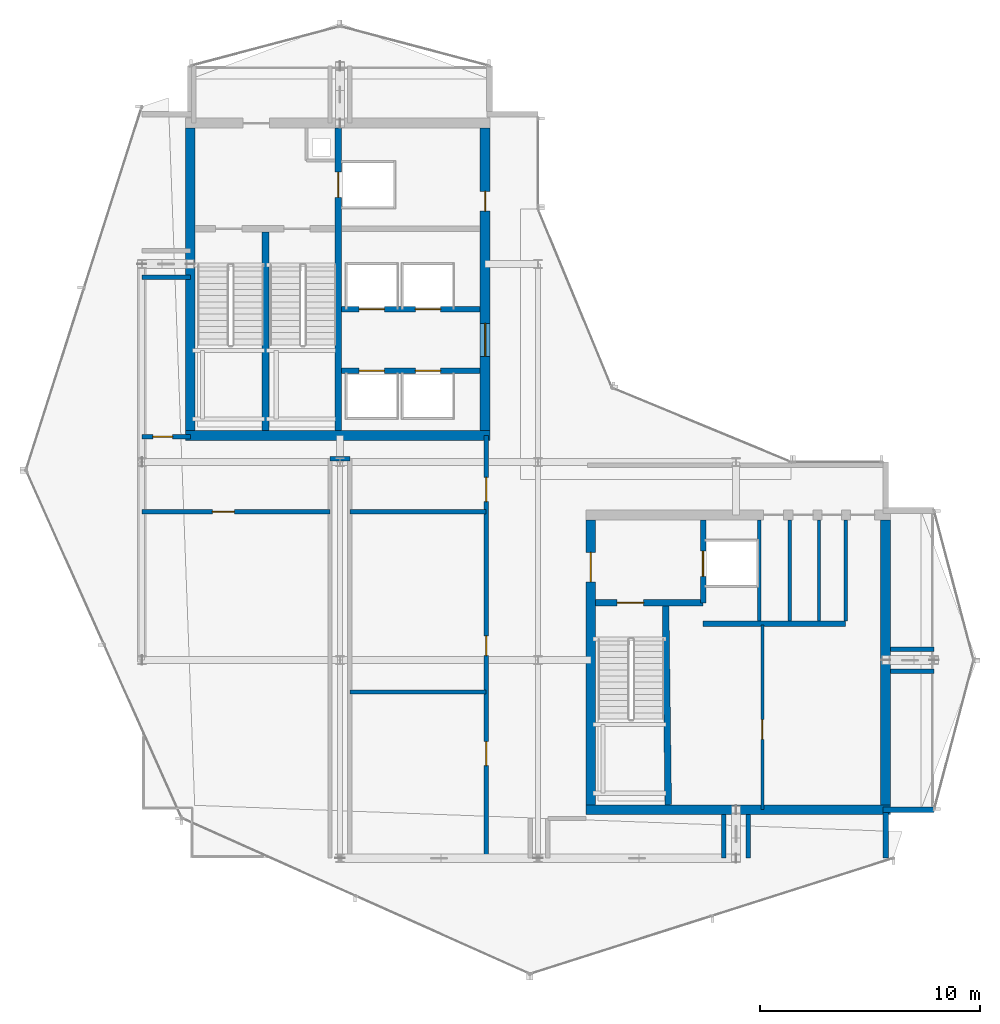
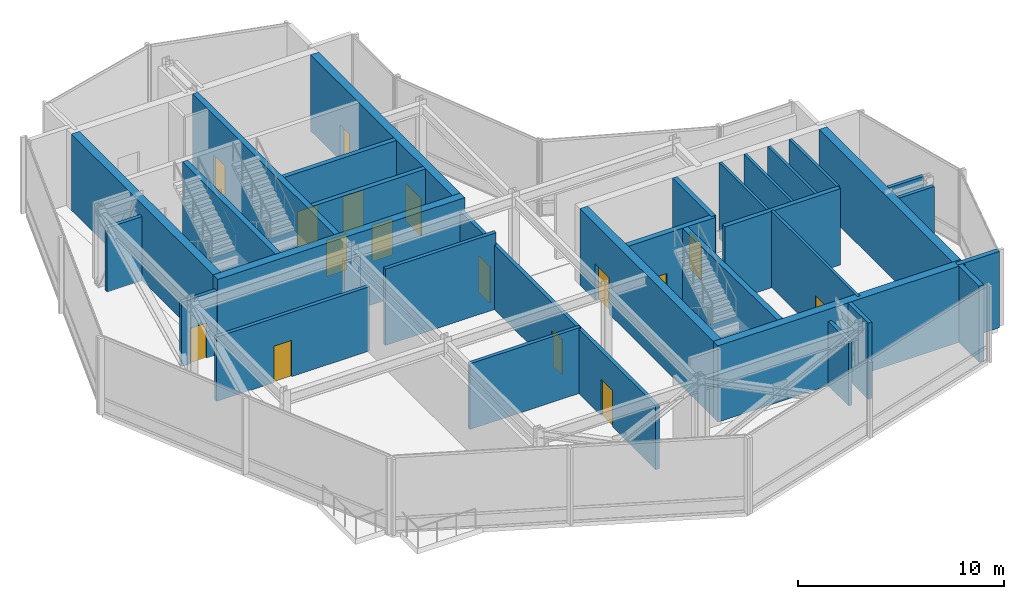
# One storey, part 18 of 23: 32 walls, 16 doors, 16 openings.
"""IFC4 building model written with IfcOpenShell, lengths in metres."""

import ifcopenshell
import ifcopenshell.guid

model = None  # the IFC model being written
_history = None  # IfcOwnerHistory: only IFC2X3 demands one
_inside = {}  # id of a spatial element -> (the spatial element, [elements in it])
_under = {}  # id of a project, library or spatial element -> (it, [spatial elements below it])
_declared = {}  # id of a project -> (the project, [libraries it declares])
_typed = {}  # id of a type object -> (the type object, [elements of that type])
_made_of = {}  # id of a material, layer set ... -> (it, [elements and type objects made of it])


def new_model(schema):
    """Start an empty IFC model of exactly this schema.

    Asked for "IFC4X3", IfcOpenShell would pick the latest addendum, in which some entities
    have other attributes; the version numbers below select the first issue.
    IFC2X3 requires an IfcOwnerHistory on every rooted entity: one is made here for all.
    """
    global model, _history
    if schema == "IFC4X3":
        model = ifcopenshell.file(schema_version=(4, 3, 0, 0))
    else:
        model = ifcopenshell.file(schema=schema)
    _inside.clear()
    _under.clear()
    _declared.clear()
    _typed.clear()
    _made_of.clear()
    _history = None
    if model.schema == "IFC2X3":
        org = make("IfcOrganization", Name="unknown")
        user = make(
            "IfcPersonAndOrganization",
            ThePerson=make("IfcPerson", FamilyName="unknown"),
            TheOrganization=org,
        )
        app = make(
            "IfcApplication",
            ApplicationDeveloper=org,
            Version="unknown",
            ApplicationFullName="unknown",
            ApplicationIdentifier="unknown",
        )
        _history = make(
            "IfcOwnerHistory",
            OwningUser=user,
            OwningApplication=app,
            ChangeAction="ADDED",
            CreationDate=0,
        )
    return model


def make(cls, **values):
    """One entity of the class cls with the attributes given. An attribute that is None is left unset."""
    return model.create_entity(
        cls, **{name: value for name, value in values.items() if value is not None}
    )


def rooted(cls, **values):
    """An entity with a GlobalId (a new one), such as an element, a storey or a relation."""
    return make(cls, GlobalId=ifcopenshell.guid.new(), OwnerHistory=_history, **values)


def si_unit(unit_type, name, prefix=None):
    """IfcSIUnit, for example si_unit("LENGTHUNIT", "METRE", prefix="MILLI")."""
    return make("IfcSIUnit", UnitType=unit_type, Prefix=prefix, Name=name)


def assignment(units):
    """IfcUnitAssignment: the units of a project."""
    return None if units is None else make("IfcUnitAssignment", Units=units)


def point(xyz):
    """IfcCartesianPoint."""
    return None if xyz is None else make("IfcCartesianPoint", Coordinates=xyz)


def direction(xyz):
    """IfcDirection."""
    return None if xyz is None else make("IfcDirection", DirectionRatios=xyz)


def frame(location, z_axis=None, x_axis=None):
    """IfcAxis2Placement3D, a coordinate frame: its origin and axes. An axis left out is left unset."""
    return make(
        "IfcAxis2Placement3D",
        Location=point(location),
        Axis=direction(z_axis),
        RefDirection=direction(x_axis),
    )


def frame_2d(location, x_axis=None):
    """IfcAxis2Placement2D, a coordinate frame in the plane: its origin and x axis."""
    return make(
        "IfcAxis2Placement2D", Location=point(location), RefDirection=direction(x_axis)
    )


def origin():
    """The frame at (0, 0, 0) with its axes left unset."""
    return frame((0.0, 0.0, 0.0))


def place(relative_to, where):
    """IfcLocalPlacement: puts the frame where relative to a parent placement (None: the world)."""
    return make(
        "IfcLocalPlacement", PlacementRelTo=relative_to, RelativePlacement=where
    )


def context(
    kind, dimensions, precision=None, world=None, true_north=None, identifier=None
):
    """IfcGeometricRepresentationContext, for example the 3D "Model" context."""
    return make(
        "IfcGeometricRepresentationContext",
        ContextIdentifier=identifier,
        ContextType=kind,
        CoordinateSpaceDimension=dimensions,
        Precision=precision,
        WorldCoordinateSystem=world,
        TrueNorth=true_north,
    )


def subcontext(parent, identifier, kind, view, scale=None):
    """IfcGeometricRepresentationSubContext, for example "Body" below "Model"."""
    return make(
        "IfcGeometricRepresentationSubContext",
        ContextIdentifier=identifier,
        ContextType=kind,
        ParentContext=parent,
        TargetScale=scale,
        TargetView=view,
    )


def project(units=None, contexts=None):
    """IfcProject with its units and contexts."""
    return rooted(
        "IfcProject",
        Name="project",
        RepresentationContexts=contexts,
        UnitsInContext=assignment(units),
    )


def spatial(cls, under=None, at=None, **own):
    """A site, building, storey or space (cls), placed at a placement, below another one or the project."""
    s = rooted(cls, ObjectPlacement=at, **own)
    if under is not None:
        _under.setdefault(under.id(), (under, []))[1].append(s)
    return s


def profile(cls, at=None, kind="AREA", **sizes):
    """A parametric profile (cls). Its sizes go by their IFC names, for example OverallWidth=200.0."""
    return make(cls, ProfileType=kind, Position=at, **sizes)


def rectangle(**sizes):
    """IfcRectangleProfileDef."""
    return profile("IfcRectangleProfileDef", **sizes)


def extrude(swept, where, along, depth):
    """IfcExtrudedAreaSolid: the profile swept, set in the frame where, extruded along a direction by depth."""
    return make(
        "IfcExtrudedAreaSolid",
        SweptArea=swept,
        Position=where,
        ExtrudedDirection=direction(along),
        Depth=depth,
    )


def shape(context_of_items, identifier, shape_type, items):
    """IfcShapeRepresentation: the items that make up one representation, for example the "Body"."""
    return make(
        "IfcShapeRepresentation",
        ContextOfItems=context_of_items,
        RepresentationIdentifier=identifier,
        RepresentationType=shape_type,
        Items=items,
    )


def material(Name=None, Category=None):
    """IfcMaterial."""
    return make("IfcMaterial", Name=Name, Category=Category)


def layer(
    of_material, thickness, ventilated=None, Name=None, Category=None, Priority=None
):
    """IfcMaterialLayer: one layer of a wall or slab, of a material (None: an air gap)."""
    return make(
        "IfcMaterialLayer",
        Material=of_material,
        LayerThickness=thickness,
        IsVentilated=ventilated,
        Name=Name,
        Category=Category,
        Priority=Priority,
    )


def layer_set(layers, Name=None):
    """IfcMaterialLayerSet."""
    return make("IfcMaterialLayerSet", MaterialLayers=layers, LayerSetName=Name)


def made_of(thing, what):
    """Note that an element or type object is made of a material, layer set ...; save() writes the relation."""
    if what is not None:
        _made_of.setdefault(what.id(), (what, []))[1].append(thing)
    return thing


def type_object(cls, material=None, **own):
    """A type object (cls), such as IfcWallType, which elements share."""
    return made_of(rooted(cls, **own), material)


def element(
    cls,
    number,
    at=None,
    inside=None,
    cuts=None,
    type_object=None,
    material=None,
    context=None,
    identifier="Body",
    shape_type=None,
    held_by="IfcProductDefinitionShape",
    body=None,
    shapes=None,
    **own,
):
    """One element of the class cls, such as IfcWall. Its Tag is "e" and its number.

    at: its placement. inside: the storey or other place that contains it. cuts: it is an
    opening in that element (IfcRelVoidsElement). A single representation is given by context,
    identifier, shape_type and body (its items); several are given by shapes. held_by: the class
    of the entity that holds the representations. save() writes the other relations.
    """
    e = rooted(cls, Tag="e%d" % number, ObjectPlacement=at, **own)
    if body is not None:
        shapes = [shape(context, identifier, shape_type, body)]
    if shapes is not None:
        e.Representation = make(held_by, Representations=shapes)
    if inside is not None:
        _inside.setdefault(inside.id(), (inside, []))[1].append(e)
    if cuts is not None:
        rooted(
            "IfcRelVoidsElement", RelatingBuildingElement=cuts, RelatedOpeningElement=e
        )
    if type_object is not None:
        _typed.setdefault(type_object.id(), (type_object, []))[1].append(e)
    return made_of(e, material)


def fill(opening, filler):
    """IfcRelFillsElement: the door or window that sits in an opening."""
    return rooted(
        "IfcRelFillsElement",
        RelatingOpeningElement=opening,
        RelatedBuildingElement=filler,
    )


def aggregate(whole, parts):
    """IfcRelAggregates: a whole, such as a stair, and the parts it consists of."""
    return rooted("IfcRelAggregates", RelatingObject=whole, RelatedObjects=parts)


def save(model, path):
    """Write the relations noted so far, then the file.

    IfcRelAggregates (storeys below a building ...), IfcRelContainedInSpatialStructure (elements
    in a storey), IfcRelDefinesByType, IfcRelAssociatesMaterial and IfcRelDeclares: one each for
    every whole, place, type object, material and project.
    """
    for whole, parts in _under.values():
        aggregate(whole, parts)
    for where, things in _inside.values():
        rooted(
            "IfcRelContainedInSpatialStructure",
            RelatedElements=things,
            RelatingStructure=where,
        )
    for kind, things in _typed.values():
        rooted("IfcRelDefinesByType", RelatedObjects=things, RelatingType=kind)
    for what, things in _made_of.values():
        rooted("IfcRelAssociatesMaterial", RelatedObjects=things, RelatingMaterial=what)
    for by, libraries in _declared.values():
        rooted("IfcRelDeclares", RelatingContext=by, RelatedDefinitions=libraries)
    model.write(path)


model = new_model("IFC4")

# Units and contexts
model_context = context("Model", 3, precision=1e-05, world=origin(), true_north=direction((0.0, 1.0)))
body_context = subcontext(model_context, "Body", "Model", "MODEL_VIEW")
ifc_project = project(units=[si_unit("LENGTHUNIT", "METRE"), si_unit("AREAUNIT", "SQUARE_METRE"), si_unit("VOLUMEUNIT", "CUBIC_METRE"), si_unit("PLANEANGLEUNIT", "RADIAN"), si_unit("MASSUNIT", "GRAM", prefix="KILO")], contexts=[model_context])

# Site, building, storey
site_placement = place(None, origin())
site = spatial("IfcSite", under=ifc_project, at=site_placement, CompositionType="ELEMENT")
building_placement = place(site_placement, origin())
building = spatial("IfcBuilding", under=site, at=building_placement, Name="Solvaryn Broadcast Tower", CompositionType="ELEMENT")
storey_placement = place(building_placement, frame((0.0, 0.0, 285.199951171875)))
storey = spatial("IfcBuildingStorey", under=building, at=storey_placement, Name="L72", CompositionType="ELEMENT", Elevation=285.199951171875)

# Walls
ifc_material_1 = material(Name="Concrete f'c 70 MPa", Category="concrete")
ifc_layer_1 = layer(ifc_material_1, 0.449951171875)
ifc_layer_set_1 = layer_set([ifc_layer_1], Name="CW-SHEAR-450")
wall_type_1 = type_object("IfcWallType", Name="CW-SHEAR-450", PredefinedType="SHEAR", material=ifc_layer_set_1)
wall_1_placement = place(storey_placement, frame((10.97509765625, 28.199951171875, 0.0), z_axis=(0.0, 0.0, 1.0), x_axis=(1.0, 0.0, 0.0)))
element("IfcWall", 1, at=wall_1_placement, inside=storey, type_object=wall_type_1, Name="L72 West Core South Shear Wall", PredefinedType="SHEAR", context=body_context, shape_type="SweptSolid", body=[
    extrude(rectangle(XDim=13.849853515625, YDim=0.449951171875, at=frame_2d((6.9248046875, 0.0))), origin(), (0.0, 0.0, 1.0), 4.52001953125),
])
wall_2_placement = place(storey_placement, frame((11.199951171875, 42.175048828125, 0.0), z_axis=(0.0, 0.0, 1.0), x_axis=(0.0, -1.0, 0.0)))
element("IfcWall", 2, at=wall_2_placement, inside=storey, type_object=wall_type_1, Name="L72 West Core West Shear Wall", PredefinedType="SHEAR", context=body_context, shape_type="SweptSolid", body=[
    extrude(rectangle(XDim=13.75, YDim=0.449951171875, at=frame_2d((6.875, 0.0))), origin(), (0.0, 0.0, 1.0), 4.52001953125),
])

# Wall, openings, doors
wall_3_placement = place(storey_placement, frame((24.60009765625, 28.425048828125, 0.0), z_axis=(0.0, 0.0, 1.0), x_axis=(0.0, 1.0, 0.0)))
wall_3 = element("IfcWall", 3, at=wall_3_placement, inside=storey, type_object=wall_type_1, Name="L72 West Core East Shear Wall", PredefinedType="SHEAR", context=body_context, shape_type="SweptSolid", body=[
    extrude(rectangle(XDim=13.75, YDim=0.449951171875, at=frame_2d((6.875, 0.0))), origin(), (0.0, 0.0, 1.0), 4.52001953125),
])
opening_1_placement = place(wall_3_placement, frame((3.375, 0.0, 0.0)))
opening_1 = element("IfcOpeningElement", 4, at=opening_1_placement, cuts=wall_3, Name="Opening FD60A", PredefinedType="OPENING", context=body_context, shape_type="SweptSolid", body=[
    extrude(rectangle(XDim=1.5, YDim=2.199951171875, at=frame_2d((0.75, 1.10009765625))), frame((0.0, 0.235107421875, 0.0), z_axis=(0.0, -1.0, 0.0), x_axis=(1.0, 0.0, 0.0)), (0.0, 0.0, 1.0), 0.469970703125),
])
opening_2_placement = place(wall_3_placement, frame((9.97509765625, 0.0, 0.0)))
opening_2 = element("IfcOpeningElement", 5, at=opening_2_placement, cuts=wall_3, Name="Opening FD60C", PredefinedType="OPENING", context=body_context, shape_type="SweptSolid", body=[
    extrude(rectangle(XDim=0.89990234375, YDim=2.10009765625, at=frame_2d((0.449951171875, 1.050048828125))), frame((0.0, 0.235107421875, 0.0), z_axis=(0.0, -1.0, 0.0), x_axis=(1.0, 0.0, 0.0)), (0.0, 0.0, 1.0), 0.469970703125),
])
ifc_material_2 = material(Name="Flush Acoustic Steel and Timber Door Assembly", Category="steel")
door_type_1 = type_object("IfcDoorType", Name="FD60-CORR-1500X2200", OperationType="NOTDEFINED", PredefinedType="DOOR", material=ifc_material_2)
door_1_placement = place(opening_1_placement, origin())
door_1 = element("IfcDoor", 6, at=door_1_placement, inside=storey, type_object=door_type_1, Name="L72 West Elevator Lobby Corridor Door", OperationType="DOUBLE_DOOR_SINGLE_SWING", OverallHeight=2.199951171875, OverallWidth=1.5, PredefinedType="DOOR", context=body_context, shape_type="SweptSolid", body=[
    extrude(rectangle(XDim=1.5, YDim=2.199951171875, at=frame_2d((0.75, 1.10009765625))), frame((0.0, 0.02490234375, 0.0), z_axis=(0.0, -1.0, 0.0), x_axis=(1.0, 0.0, 0.0)), (0.0, 0.0, 1.0), 0.050048828125),
])
fill(opening_1, door_1)
ifc_material_3 = material(Name="Flush Acoustic Steel and Timber Door Assembly", Category="steel")
door_type_2 = type_object("IfcDoorType", Name="FD60-SERV-900X2100", OperationType="NOTDEFINED", PredefinedType="DOOR", material=ifc_material_3)
door_2_placement = place(opening_2_placement, origin())
door_2 = element("IfcDoor", 7, at=door_2_placement, inside=storey, type_object=door_type_2, Name="L72 West Core Service Door 1", OperationType="SINGLE_SWING_LEFT", OverallHeight=2.10009765625, OverallWidth=0.89990234375, PredefinedType="DOOR", context=body_context, shape_type="SweptSolid", body=[
    extrude(rectangle(XDim=0.89990234375, YDim=2.10009765625, at=frame_2d((0.449951171875, 1.050048828125))), frame((0.0, 0.02490234375, 0.0), z_axis=(0.0, -1.0, 0.0), x_axis=(1.0, 0.0, 0.0)), (0.0, 0.0, 1.0), 0.050048828125),
])
fill(opening_2, door_2)

# Wall
wall_4_placement = place(storey_placement, frame((29.175048828125, 11.199951171875, 0.0), z_axis=(0.0, 0.0, 1.0), x_axis=(1.0, 0.0, 0.0)))
element("IfcWall", 8, at=wall_4_placement, inside=storey, type_object=wall_type_1, Name="L72 East Core South Shear Wall", PredefinedType="SHEAR", context=body_context, shape_type="SweptSolid", body=[
    extrude(rectangle(XDim=13.849853515625, YDim=0.449951171875, at=frame_2d((6.9248046875, 0.0))), origin(), (0.0, 0.0, 1.0), 4.52001953125),
])

# Wall, opening, door
wall_5_placement = place(storey_placement, frame((29.39990234375, 24.375, 0.0), z_axis=(0.0, 0.0, 1.0), x_axis=(0.0, -1.0, 0.0)))
wall_5 = element("IfcWall", 9, at=wall_5_placement, inside=storey, type_object=wall_type_1, Name="L72 East Core West Shear Wall", PredefinedType="SHEAR", context=body_context, shape_type="SweptSolid", body=[
    extrude(rectangle(XDim=12.949951171875, YDim=0.449951171875, at=frame_2d((6.47509765625, 0.0))), origin(), (0.0, 0.0, 1.0), 4.52001953125),
])
opening_3_placement = place(wall_5_placement, frame((1.47509765625, 0.0, 0.0)))
opening_3 = element("IfcOpeningElement", 10, at=opening_3_placement, cuts=wall_5, Name="Opening FD90B", PredefinedType="OPENING", context=body_context, shape_type="SweptSolid", body=[
    extrude(rectangle(XDim=1.35009765625, YDim=2.14990234375, at=frame_2d((0.675048828125, 1.074951171875))), frame((0.0, 0.235107421875, 0.0), z_axis=(0.0, -1.0, 0.0), x_axis=(1.0, 0.0, 0.0)), (0.0, 0.0, 1.0), 0.469970703125),
])
ifc_material_4 = material(Name="Flush Acoustic Steel and Timber Door Assembly", Category="steel")
door_type_3 = type_object("IfcDoorType", Name="FD90-LOBBY-1350X2150", OperationType="NOTDEFINED", PredefinedType="DOOR", material=ifc_material_4)
door_3_placement = place(opening_3_placement, origin())
door_3 = element("IfcDoor", 11, at=door_3_placement, inside=storey, type_object=door_type_3, Name="L72 East FSAE Lobby Door", OperationType="SINGLE_SWING_RIGHT", OverallHeight=2.14990234375, OverallWidth=1.35009765625, PredefinedType="DOOR", context=body_context, shape_type="SweptSolid", body=[
    extrude(rectangle(XDim=1.35009765625, YDim=2.14990234375, at=frame_2d((0.675048828125, 1.074951171875))), frame((0.0, 0.02490234375, 0.0), z_axis=(0.0, -1.0, 0.0), x_axis=(1.0, 0.0, 0.0)), (0.0, 0.0, 1.0), 0.050048828125),
])
fill(opening_3, door_3)

# Walls
wall_6_placement = place(storey_placement, frame((42.800048828125, 11.425048828125, 0.0), z_axis=(0.0, 0.0, 1.0), x_axis=(0.0, 1.0, 0.0)))
element("IfcWall", 12, at=wall_6_placement, inside=storey, type_object=wall_type_1, Name="L72 East Core East Shear Wall", PredefinedType="SHEAR", context=body_context, shape_type="SweptSolid", body=[
    extrude(rectangle(XDim=12.949951171875, YDim=0.449951171875, at=frame_2d((6.47509765625, 0.0))), origin(), (0.0, 0.0, 1.0), 4.52001953125),
])
ifc_material_5 = material(Name="Concrete f'c 50 MPa", Category="concrete")
ifc_layer_2 = layer(ifc_material_5, 0.260009765625)
ifc_layer_set_2 = layer_set([ifc_layer_2], Name="EW-PIER-260")
wall_type_2 = type_object("IfcWallType", Name="EW-PIER-260", PredefinedType="SOLIDWALL", material=ifc_layer_set_2)
wall_7_placement = place(storey_placement, frame((42.800048828125, 9.0, 0.0), z_axis=(0.0, 0.0, 1.0), x_axis=(0.0, 1.0, 0.0)))
element("IfcWall", 13, at=wall_7_placement, inside=storey, type_object=wall_type_2, Name="L72 Notched Corner Pier Wall NSE1", PredefinedType="SOLIDWALL", context=body_context, shape_type="SweptSolid", body=[
    extrude(rectangle(XDim=2.080078125, YDim=0.260009765625, at=frame_2d((1.0400390625, 0.0))), origin(), (0.0, 0.0, 1.0), 4.52001953125),
])
wall_8_placement = place(storey_placement, frame((42.679931640625, 11.199951171875, 0.0), z_axis=(0.0, 0.0, 1.0), x_axis=(1.0, 0.0, 0.0)))
element("IfcWall", 14, at=wall_8_placement, inside=storey, type_object=wall_type_2, Name="L72 Notched Corner Pier Wall NSE2", PredefinedType="SOLIDWALL", context=body_context, shape_type="SweptSolid", body=[
    extrude(rectangle(XDim=2.320068359375, YDim=0.260009765625, at=frame_2d((1.16015625, 0.0))), origin(), (0.0, 0.0, 1.0), 4.52001953125),
])

# Wall, opening, door
ifc_material_6 = material(Name="Metal-Stud Service Core Partition")
ifc_layer_3 = layer(ifc_material_6, 0.14990234375)
ifc_layer_set_3 = layer_set([ifc_layer_3], Name="IW-PART-150")
wall_type_3 = type_object("IfcWallType", Name="IW-PART-150", PredefinedType="PARTITIONING", material=ifc_layer_set_3)
wall_9_placement = place(storey_placement, frame((37.199951171875, 11.199951171875, 0.0), z_axis=(0.0, 0.0, 1.0), x_axis=(0.0, 1.0, 0.0)))
wall_9 = element("IfcWall", 15, at=wall_9_placement, inside=storey, type_object=wall_type_3, Name="L72 Interior Partition IW-L72-RPM-V", PredefinedType="PARTITIONING", context=body_context, shape_type="SweptSolid", body=[
    extrude(rectangle(XDim=8.400146484375, YDim=0.14990234375, at=frame_2d((4.2001953125, 0.0))), origin(), (0.0, 0.0, 1.0), 4.52001953125),
])
opening_4_placement = place(wall_9_placement, frame((3.199951171875, 0.0, 0.0)))
opening_4 = element("IfcOpeningElement", 16, at=opening_4_placement, cuts=wall_9, Name="Opening FD60C", PredefinedType="OPENING", context=body_context, shape_type="SweptSolid", body=[
    extrude(rectangle(XDim=0.89990234375, YDim=2.10009765625, at=frame_2d((0.449951171875, 1.050048828125))), frame((0.0, 0.0849609375, 0.0), z_axis=(0.0, -1.0, 0.0), x_axis=(1.0, 0.0, 0.0)), (0.0, 0.0, 1.0), 0.169921875),
])
door_4_placement = place(opening_4_placement, origin())
door_4 = element("IfcDoor", 17, at=door_4_placement, inside=storey, type_object=door_type_2, Name="L72 Door DR-L72-RPM1", OperationType="SINGLE_SWING_LEFT", OverallHeight=2.10009765625, OverallWidth=0.89990234375, PredefinedType="DOOR", context=body_context, shape_type="SweptSolid", body=[
    extrude(rectangle(XDim=0.89990234375, YDim=2.10009765625, at=frame_2d((0.449951171875, 1.050048828125))), frame((0.0, 0.02490234375, 0.0), z_axis=(0.0, -1.0, 0.0), x_axis=(1.0, 0.0, 0.0)), (0.0, 0.0, 1.0), 0.050048828125),
])
fill(opening_4, door_4)

# Walls
for number, where, z_axis, x_axis, name in (
    (18, (37.050048828125, 19.780029296875, 0.0), (0.0, 0.0, 1.0), (0.0, 1.0, 0.0), "L72 Interior Partition IW-L72-CE-FL2E"),
    (19, (38.43994140625, 19.780029296875, 0.0), (0.0, 0.0, 1.0), (0.0, 1.0, 0.0), "L72 Interior Partition IW-L72-CE-V1"),
    (20, (39.77001953125, 19.780029296875, 0.0), (0.0, 0.0, 1.0), (0.0, 1.0, 0.0), "L72 Interior Partition IW-L72-CE-V2"),
    (21, (40.97998046875, 19.780029296875, 0.0), (0.0, 0.0, 1.0), (0.0, 1.0, 0.0), "L72 Interior Partition IW-L72-CE-V3"),
):
    element("IfcWall", number, at=place(storey_placement, frame(where, z_axis=z_axis, x_axis=x_axis)), inside=storey, type_object=wall_type_3, Name=name, PredefinedType="PARTITIONING", context=body_context, shape_type="SweptSolid", body=[
        extrude(rectangle(XDim=4.594970703125, YDim=0.14990234375, at=frame_2d((2.29736328125, 0.0))), origin(), (0.0, 0.0, 1.0), 4.52001953125),
    ])

# Wall, openings, doors
ifc_material_7 = material(Name="Gypsum Fire-Rated Shaftwall Assembly", Category="concrete")
ifc_layer_4 = layer(ifc_material_7, 0.199951171875)
ifc_layer_set_4 = layer_set([ifc_layer_4], Name="IW-RATED-200")
wall_type_4 = type_object("IfcWallType", Name="IW-RATED-200", PredefinedType="PARTITIONING", material=ifc_layer_set_4)
wall_10_placement = place(storey_placement, frame((24.64990234375, 9.0, 0.0), z_axis=(0.0, 0.0, 1.0), x_axis=(0.0, 1.0, 0.0)))
wall_10 = element("IfcWall", 22, at=wall_10_placement, inside=storey, type_object=wall_type_4, Name="L72 Interior Partition IW-L72-MW1", PredefinedType="PARTITIONING", context=body_context, shape_type="SweptSolid", body=[
    extrude(rectangle(XDim=19.199951171875, YDim=0.199951171875, at=frame_2d((9.60009765625, 0.0))), origin(), (0.0, 0.0, 1.0), 3.80712890625),
])
opening_5_placement = place(wall_10_placement, frame((4.199951171875, 0.0, 0.0)))
opening_5 = element("IfcOpeningElement", 23, at=opening_5_placement, cuts=wall_10, Name="Opening FD90C", PredefinedType="OPENING", context=body_context, shape_type="SweptSolid", body=[
    extrude(rectangle(XDim=1.10009765625, YDim=2.14990234375, at=frame_2d((0.550048828125, 1.074951171875))), frame((0.0, 0.110107421875, 0.0), z_axis=(0.0, -1.0, 0.0), x_axis=(1.0, 0.0, 0.0)), (0.0, 0.0, 1.0), 0.219970703125),
])
opening_6_placement = place(wall_10_placement, frame((16.199951171875, 0.0, 0.0)))
opening_6 = element("IfcOpeningElement", 24, at=opening_6_placement, cuts=wall_10, Name="Opening FD90C", PredefinedType="OPENING", context=body_context, shape_type="SweptSolid", body=[
    extrude(rectangle(XDim=1.10009765625, YDim=2.14990234375, at=frame_2d((0.550048828125, 1.074951171875))), frame((0.0, 0.110107421875, 0.0), z_axis=(0.0, -1.0, 0.0), x_axis=(1.0, 0.0, 0.0)), (0.0, 0.0, 1.0), 0.219970703125),
])
opening_7_placement = place(wall_10_placement, frame((9.199951171875, 0.0, 0.0)))
opening_7 = element("IfcOpeningElement", 25, at=opening_7_placement, cuts=wall_10, Name="Opening FD60C", PredefinedType="OPENING", context=body_context, shape_type="SweptSolid", body=[
    extrude(rectangle(XDim=0.89990234375, YDim=2.10009765625, at=frame_2d((0.449951171875, 1.050048828125))), frame((0.0, 0.110107421875, 0.0), z_axis=(0.0, -1.0, 0.0), x_axis=(1.0, 0.0, 0.0)), (0.0, 0.0, 1.0), 0.219970703125),
])
door_5_placement = place(opening_7_placement, origin())
door_5 = element("IfcDoor", 26, at=door_5_placement, inside=storey, type_object=door_type_2, Name="L72 Door DR-L72-MD3A", OperationType="SINGLE_SWING_RIGHT", OverallHeight=2.10009765625, OverallWidth=0.89990234375, PredefinedType="DOOR", context=body_context, shape_type="SweptSolid", body=[
    extrude(rectangle(XDim=0.89990234375, YDim=2.10009765625, at=frame_2d((0.449951171875, 1.050048828125))), frame((0.0, 0.02490234375, 0.0), z_axis=(0.0, -1.0, 0.0), x_axis=(1.0, 0.0, 0.0)), (0.0, 0.0, 1.0), 0.050048828125),
])
fill(opening_7, door_5)
ifc_material_8 = material(Name="Flush Acoustic Steel and Timber Door Assembly", Category="steel")
door_type_4 = type_object("IfcDoorType", Name="FD90-PLANT-1100X2150", OperationType="NOTDEFINED", PredefinedType="DOOR", material=ifc_material_8)
door_6_placement = place(opening_5_placement, origin())
door_6 = element("IfcDoor", 27, at=door_6_placement, inside=storey, type_object=door_type_4, Name="L72 Door DR-L72-MD1", OperationType="SINGLE_SWING_RIGHT", OverallHeight=2.14990234375, OverallWidth=1.10009765625, PredefinedType="DOOR", context=body_context, shape_type="SweptSolid", body=[
    extrude(rectangle(XDim=1.10009765625, YDim=2.14990234375, at=frame_2d((0.550048828125, 1.074951171875))), frame((0.0, 0.02490234375, 0.0), z_axis=(0.0, -1.0, 0.0), x_axis=(1.0, 0.0, 0.0)), (0.0, 0.0, 1.0), 0.050048828125),
])
fill(opening_5, door_6)
door_7_placement = place(opening_6_placement, origin())
door_7 = element("IfcDoor", 28, at=door_7_placement, inside=storey, type_object=door_type_4, Name="L72 Door DR-L72-MD2", OperationType="SINGLE_SWING_RIGHT", OverallHeight=2.14990234375, OverallWidth=1.10009765625, PredefinedType="DOOR", context=body_context, shape_type="SweptSolid", body=[
    extrude(rectangle(XDim=1.10009765625, YDim=2.14990234375, at=frame_2d((0.550048828125, 1.074951171875))), frame((0.0, 0.02490234375, 0.0), z_axis=(0.0, -1.0, 0.0), x_axis=(1.0, 0.0, 0.0)), (0.0, 0.0, 1.0), 0.050048828125),
])
fill(opening_6, door_7)

# Wall
wall_11_placement = place(storey_placement, frame((17.550048828125, 27.14990234375, 0.0), z_axis=(0.0, 0.0, 1.0), x_axis=(1.0, 0.0, 0.0)))
element("IfcWall", 29, at=wall_11_placement, inside=storey, type_object=wall_type_4, Name="L72 Interior Partition IW-L72-MW1N", PredefinedType="PARTITIONING", context=body_context, shape_type="SweptSolid", body=[
    extrude(rectangle(XDim=0.89990234375, YDim=0.199951171875, at=frame_2d((0.449951171875, 0.0))), origin(), (0.0, 0.0, 1.0), 3.88916015625),
])

# Wall, opening, door
wall_12_placement = place(storey_placement, frame((9.0, 24.75, 0.0), z_axis=(0.0, 0.0, 1.0), x_axis=(1.0, 0.0, 0.0)))
wall_12 = element("IfcWall", 30, at=wall_12_placement, inside=storey, type_object=wall_type_4, Name="L72 Interior Partition IW-L72-MW2A", PredefinedType="PARTITIONING", context=body_context, shape_type="SweptSolid", body=[
    extrude(rectangle(XDim=8.550048828125, YDim=0.199951171875, at=frame_2d((4.27490234375, 0.0))), origin(), (0.0, 0.0, 1.0), 3.80712890625),
])
opening_8_placement = place(wall_12_placement, frame((3.199951171875, 0.0, 0.0)))
opening_8 = element("IfcOpeningElement", 31, at=opening_8_placement, cuts=wall_12, Name="Opening FD90D", PredefinedType="OPENING", context=body_context, shape_type="SweptSolid", body=[
    extrude(rectangle(XDim=1.0, YDim=2.14990234375, at=frame_2d((0.5, 1.074951171875))), frame((0.0, 0.110107421875, 0.0), z_axis=(0.0, -1.0, 0.0), x_axis=(1.0, 0.0, 0.0)), (0.0, 0.0, 1.0), 0.219970703125),
])
ifc_material_9 = material(Name="Flush Acoustic Steel and Timber Door Assembly", Category="steel")
door_type_5 = type_object("IfcDoorType", Name="FD90-FCC-1000X2150", OperationType="NOTDEFINED", PredefinedType="DOOR", material=ifc_material_9)
door_8_placement = place(opening_8_placement, origin())
door_8 = element("IfcDoor", 32, at=door_8_placement, inside=storey, type_object=door_type_5, Name="L72 Door DR-L72-MD1A", OperationType="SINGLE_SWING_LEFT", OverallHeight=2.14990234375, OverallWidth=1.0, PredefinedType="DOOR", context=body_context, shape_type="SweptSolid", body=[
    extrude(rectangle(XDim=1.0, YDim=2.14990234375, at=frame_2d((0.5, 1.074951171875))), frame((0.0, 0.02490234375, 0.0), z_axis=(0.0, -1.0, 0.0), x_axis=(1.0, 0.0, 0.0)), (0.0, 0.0, 1.0), 0.050048828125),
])
fill(opening_8, door_8)

# Walls
wall_13_placement = place(storey_placement, frame((18.449951171875, 24.75, 0.0), z_axis=(0.0, 0.0, 1.0), x_axis=(1.0, 0.0, 0.0)))
element("IfcWall", 33, at=wall_13_placement, inside=storey, type_object=wall_type_4, Name="L72 Interior Partition IW-L72-MW2B", PredefinedType="PARTITIONING", context=body_context, shape_type="SweptSolid", body=[
    extrude(rectangle(XDim=6.199951171875, YDim=0.199951171875, at=frame_2d((3.10009765625, 0.0))), origin(), (0.0, 0.0, 1.0), 4.52001953125),
])
wall_14_placement = place(storey_placement, frame((18.449951171875, 16.550048828125, 0.0), z_axis=(0.0, 0.0, 1.0), x_axis=(1.0, 0.0, 0.0)))
element("IfcWall", 34, at=wall_14_placement, inside=storey, type_object=wall_type_4, Name="L72 Interior Partition IW-L72-MW2C", PredefinedType="PARTITIONING", context=body_context, shape_type="SweptSolid", body=[
    extrude(rectangle(XDim=6.199951171875, YDim=0.199951171875, at=frame_2d((3.10009765625, 0.0))), origin(), (0.0, 0.0, 1.0), 3.88916015625),
])

# Wall, opening, door
wall_15_placement = place(storey_placement, frame((9.0, 28.14990234375, 0.0), z_axis=(0.0, 0.0, 1.0), x_axis=(1.0, 0.0, 0.0)))
wall_15 = element("IfcWall", 35, at=wall_15_placement, inside=storey, type_object=wall_type_4, Name="L72 Interior Partition IW-L72-MW3", PredefinedType="PARTITIONING", context=body_context, shape_type="SweptSolid", body=[
    extrude(rectangle(XDim=2.199951171875, YDim=0.199951171875, at=frame_2d((1.10009765625, 0.0))), origin(), (0.0, 0.0, 1.0), 3.80712890625),
])
opening_9_placement = place(wall_15_placement, frame((0.5, 0.0, 0.0)))
opening_9 = element("IfcOpeningElement", 36, at=opening_9_placement, cuts=wall_15, Name="Opening FD60C", PredefinedType="OPENING", context=body_context, shape_type="SweptSolid", body=[
    extrude(rectangle(XDim=0.89990234375, YDim=2.10009765625, at=frame_2d((0.449951171875, 1.050048828125))), frame((0.0, 0.110107421875, 0.0), z_axis=(0.0, -1.0, 0.0), x_axis=(1.0, 0.0, 0.0)), (0.0, 0.0, 1.0), 0.219970703125),
])
door_9_placement = place(opening_9_placement, origin())
door_9 = element("IfcDoor", 37, at=door_9_placement, inside=storey, type_object=door_type_2, Name="L72 Door DR-L72-MD2A", OperationType="SINGLE_SWING_LEFT", OverallHeight=2.10009765625, OverallWidth=0.89990234375, PredefinedType="DOOR", context=body_context, shape_type="SweptSolid", body=[
    extrude(rectangle(XDim=0.89990234375, YDim=2.10009765625, at=frame_2d((0.449951171875, 1.050048828125))), frame((0.0, 0.02490234375, 0.0), z_axis=(0.0, -1.0, 0.0), x_axis=(1.0, 0.0, 0.0)), (0.0, 0.0, 1.0), 0.050048828125),
])
fill(opening_9, door_9)

# Walls
wall_16_placement = place(storey_placement, frame((9.0, 35.39990234375, 0.0), z_axis=(0.0, 0.0, 1.0), x_axis=(1.0, 0.0, 0.0)))
element("IfcWall", 38, at=wall_16_placement, inside=storey, type_object=wall_type_4, Name="L72 Interior Partition IW-L72-MW3N", PredefinedType="PARTITIONING", context=body_context, shape_type="SweptSolid", body=[
    extrude(rectangle(XDim=2.199951171875, YDim=0.199951171875, at=frame_2d((1.10009765625, 0.0))), origin(), (0.0, 0.0, 1.0), 3.80712890625),
])
wall_17_placement = place(storey_placement, frame((35.449951171875, 9.0, 0.0), z_axis=(0.0, 0.0, 1.0), x_axis=(0.0, 1.0, 0.0)))
element("IfcWall", 39, at=wall_17_placement, inside=storey, type_object=wall_type_4, Name="L72 Interior Partition IW-L72-MW4W", PredefinedType="PARTITIONING", context=body_context, shape_type="SweptSolid", body=[
    extrude(rectangle(XDim=1.97509765625, YDim=0.199951171875, at=frame_2d((0.987548828125, 0.0))), origin(), (0.0, 0.0, 1.0), 3.80712890625),
])
for number, where, z_axis, x_axis, name in (
    (40, (36.550048828125, 9.0, 0.0), (0.0, 0.0, 1.0), (0.0, 1.0, 0.0), "L72 Interior Partition IW-L72-MW4E"),
    (41, (43.02490234375, 18.5, 0.0), (0.0, 0.0, 1.0), (1.0, 0.0, 0.0), "L72 Interior Partition IW-L72-MW9N"),
    (42, (43.02490234375, 17.5, 0.0), (0.0, 0.0, 1.0), (1.0, 0.0, 0.0), "L72 Interior Partition IW-L72-MW9S"),
):
    element("IfcWall", number, at=place(storey_placement, frame(where, z_axis=z_axis, x_axis=x_axis)), inside=storey, type_object=wall_type_4, Name=name, PredefinedType="PARTITIONING", context=body_context, shape_type="SweptSolid", body=[
        extrude(rectangle(XDim=1.97509765625, YDim=0.199951171875, at=frame_2d((0.987548828125, 0.0))), origin(), (0.0, 0.0, 1.0), 4.52001953125),
    ])

# Wall, openings, doors
ifc_material_10 = material(Name="Concrete f'c 60 MPa", Category="concrete")
ifc_layer_5 = layer(ifc_material_10, 0.25)
ifc_layer_set_5 = layer_set([ifc_layer_5], Name="SW-SHAFT-250")
wall_type_5 = type_object("IfcWallType", Name="SW-SHAFT-250", PredefinedType="PARTITIONING", material=ifc_layer_set_5)
wall_18_placement = place(storey_placement, frame((18.070068359375, 31.14990234375, 0.0), z_axis=(0.0, 0.0, 1.0), x_axis=(1.0, 0.0, 0.0)))
wall_18 = element("IfcWall", 43, at=wall_18_placement, inside=storey, type_object=wall_type_5, Name="L72 High-Rise Lift Bank South Wall", PredefinedType="PARTITIONING", context=body_context, shape_type="SweptSolid", body=[
    extrude(rectangle(XDim=6.304931640625, YDim=0.25, at=frame_2d((3.15234375, 0.0))), origin(), (0.0, 0.0, 1.0), 4.52001953125),
])
opening_10_placement = place(wall_18_placement, frame((0.804931640625, 0.0, 0.0)))
opening_10 = element("IfcOpeningElement", 44, at=opening_10_placement, cuts=wall_18, Name="Opening LD01", PredefinedType="OPENING", context=body_context, shape_type="SweptSolid", body=[
    extrude(rectangle(XDim=1.14990234375, YDim=2.14990234375, at=frame_2d((0.574951171875, 1.074951171875))), frame((0.0, 0.135009765625, 0.0), z_axis=(0.0, -1.0, 0.0), x_axis=(1.0, 0.0, 0.0)), (0.0, 0.0, 1.0), 0.27001953125),
])
opening_11_placement = place(wall_18_placement, frame((3.35498046875, 0.0, 0.0)))
opening_11 = element("IfcOpeningElement", 45, at=opening_11_placement, cuts=wall_18, Name="Opening LD01", PredefinedType="OPENING", context=body_context, shape_type="SweptSolid", body=[
    extrude(rectangle(XDim=1.14990234375, YDim=2.14990234375, at=frame_2d((0.574951171875, 1.074951171875))), frame((0.0, 0.135009765625, 0.0), z_axis=(0.0, -1.0, 0.0), x_axis=(1.0, 0.0, 0.0)), (0.0, 0.0, 1.0), 0.27001953125),
])
ifc_material_11 = material(Name="Flush Acoustic Steel and Timber Door Assembly", Category="steel")
door_type_6 = type_object("IfcDoorType", Name="LD-LIFT-1150X2150", OperationType="NOTDEFINED", PredefinedType="DOOR", material=ifc_material_11)
door_10_placement = place(opening_10_placement, origin())
door_10 = element("IfcDoor", 46, at=door_10_placement, inside=storey, type_object=door_type_6, Name="L72 PH1 Lift Landing Door", OperationType="DOUBLE_DOOR_SLIDING", OverallHeight=2.14990234375, OverallWidth=1.14990234375, PredefinedType="DOOR", context=body_context, shape_type="SweptSolid", body=[
    extrude(rectangle(XDim=1.14990234375, YDim=2.14990234375, at=frame_2d((0.574951171875, 1.074951171875))), frame((0.0, 0.02490234375, 0.0), z_axis=(0.0, -1.0, 0.0), x_axis=(1.0, 0.0, 0.0)), (0.0, 0.0, 1.0), 0.050048828125),
])
fill(opening_10, door_10)
door_11_placement = place(opening_11_placement, origin())
door_11 = element("IfcDoor", 47, at=door_11_placement, inside=storey, type_object=door_type_6, Name="L72 PH2 Lift Landing Door", OperationType="DOUBLE_DOOR_SLIDING", OverallHeight=2.14990234375, OverallWidth=1.14990234375, PredefinedType="DOOR", context=body_context, shape_type="SweptSolid", body=[
    extrude(rectangle(XDim=1.14990234375, YDim=2.14990234375, at=frame_2d((0.574951171875, 1.074951171875))), frame((0.0, 0.02490234375, 0.0), z_axis=(0.0, -1.0, 0.0), x_axis=(1.0, 0.0, 0.0)), (0.0, 0.0, 1.0), 0.050048828125),
])
fill(opening_11, door_11)

wall_19_placement = place(storey_placement, frame((24.375, 33.949951171875, 0.0), z_axis=(0.0, 0.0, 1.0), x_axis=(-1.0, 0.0, 0.0)))
wall_19 = element("IfcWall", 48, at=wall_19_placement, inside=storey, type_object=wall_type_5, Name="L72 High-Rise Lift Bank North Wall", PredefinedType="PARTITIONING", context=body_context, shape_type="SweptSolid", body=[
    extrude(rectangle(XDim=6.304931640625, YDim=0.25, at=frame_2d((3.15234375, 0.0))), origin(), (0.0, 0.0, 1.0), 4.52001953125),
])
opening_12_placement = place(wall_19_placement, frame((4.35009765625, 0.0, 0.0)))
opening_12 = element("IfcOpeningElement", 49, at=opening_12_placement, cuts=wall_19, Name="Opening LD01", PredefinedType="OPENING", context=body_context, shape_type="SweptSolid", body=[
    extrude(rectangle(XDim=1.14990234375, YDim=2.14990234375, at=frame_2d((0.574951171875, 1.074951171875))), frame((0.0, 0.135009765625, 0.0), z_axis=(0.0, -1.0, 0.0), x_axis=(1.0, 0.0, 0.0)), (0.0, 0.0, 1.0), 0.27001953125),
])
opening_13_placement = place(wall_19_placement, frame((1.800048828125, 0.0, 0.0)))
opening_13 = element("IfcOpeningElement", 50, at=opening_13_placement, cuts=wall_19, Name="Opening LD01", PredefinedType="OPENING", context=body_context, shape_type="SweptSolid", body=[
    extrude(rectangle(XDim=1.14990234375, YDim=2.14990234375, at=frame_2d((0.574951171875, 1.074951171875))), frame((0.0, 0.135009765625, 0.0), z_axis=(0.0, -1.0, 0.0), x_axis=(1.0, 0.0, 0.0)), (0.0, 0.0, 1.0), 0.27001953125),
])
door_12_placement = place(opening_12_placement, origin())
door_12 = element("IfcDoor", 51, at=door_12_placement, inside=storey, type_object=door_type_6, Name="L72 PH3 Lift Landing Door", OperationType="DOUBLE_DOOR_SLIDING", OverallHeight=2.14990234375, OverallWidth=1.14990234375, PredefinedType="DOOR", context=body_context, shape_type="SweptSolid", body=[
    extrude(rectangle(XDim=1.14990234375, YDim=2.14990234375, at=frame_2d((0.574951171875, 1.074951171875))), frame((0.0, 0.02490234375, 0.0), z_axis=(0.0, -1.0, 0.0), x_axis=(1.0, 0.0, 0.0)), (0.0, 0.0, 1.0), 0.050048828125),
])
fill(opening_12, door_12)
door_13_placement = place(opening_13_placement, origin())
door_13 = element("IfcDoor", 52, at=door_13_placement, inside=storey, type_object=door_type_6, Name="L72 PH4 Lift Landing Door", OperationType="DOUBLE_DOOR_SLIDING", OverallHeight=2.14990234375, OverallWidth=1.14990234375, PredefinedType="DOOR", context=body_context, shape_type="SweptSolid", body=[
    extrude(rectangle(XDim=1.14990234375, YDim=2.14990234375, at=frame_2d((0.574951171875, 1.074951171875))), frame((0.0, 0.02490234375, 0.0), z_axis=(0.0, -1.0, 0.0), x_axis=(1.0, 0.0, 0.0)), (0.0, 0.0, 1.0), 0.050048828125),
])
fill(opening_13, door_13)

# Wall, opening, door
wall_20_placement = place(storey_placement, frame((34.5, 20.60009765625, 0.0), z_axis=(0.0, 0.0, 1.0), x_axis=(0.0, 1.0, 0.0)))
wall_20 = element("IfcWall", 53, at=wall_20_placement, inside=storey, type_object=wall_type_5, Name="L72 East FSAE Lobby East Wall", PredefinedType="PARTITIONING", context=body_context, shape_type="SweptSolid", body=[
    extrude(rectangle(XDim=3.77490234375, YDim=0.25, at=frame_2d((1.887451171875, 0.0))), origin(), (0.0, 0.0, 1.0), 4.52001953125),
])
opening_14_placement = place(wall_20_placement, frame((1.199951171875, 0.0, 0.0)))
opening_14 = element("IfcOpeningElement", 54, at=opening_14_placement, cuts=wall_20, Name="Opening LD01", PredefinedType="OPENING", context=body_context, shape_type="SweptSolid", body=[
    extrude(rectangle(XDim=1.14990234375, YDim=2.14990234375, at=frame_2d((0.574951171875, 1.074951171875))), frame((0.0, 0.135009765625, 0.0), z_axis=(0.0, -1.0, 0.0), x_axis=(1.0, 0.0, 0.0)), (0.0, 0.0, 1.0), 0.27001953125),
])
door_14_placement = place(opening_14_placement, origin())
door_14 = element("IfcDoor", 55, at=door_14_placement, inside=storey, type_object=door_type_6, Name="L72 FL2 Lift Landing Door", OperationType="DOUBLE_DOOR_SLIDING", OverallHeight=2.14990234375, OverallWidth=1.14990234375, PredefinedType="DOOR", context=body_context, shape_type="SweptSolid", body=[
    extrude(rectangle(XDim=1.14990234375, YDim=2.14990234375, at=frame_2d((0.574951171875, 1.074951171875))), frame((0.0, 0.02490234375, 0.0), z_axis=(0.0, -1.0, 0.0), x_axis=(1.0, 0.0, 0.0)), (0.0, 0.0, 1.0), 0.050048828125),
])
fill(opening_14, door_14)

# Walls
wall_21_placement = place(storey_placement, frame((34.5, 19.64990234375, 0.0), z_axis=(0.0, 0.0, 1.0), x_axis=(1.0, 0.0, 0.0)))
element("IfcWall", 56, at=wall_21_placement, inside=storey, type_object=wall_type_5, Name="L72 East Core Restroom South Wall", PredefinedType="PARTITIONING", context=body_context, shape_type="SweptSolid", body=[
    extrude(rectangle(XDim=6.47998046875, YDim=0.25, at=frame_2d((3.239990234375, 0.0))), origin(), (0.0, 0.0, 1.0), 4.52001953125),
])
ifc_material_12 = material(Name="Concrete f'c 70 MPa", Category="concrete")
ifc_layer_6 = layer(ifc_material_12, 0.300048828125)
ifc_layer_set_6 = layer_set([ifc_layer_6], Name="SW-SHAFT-300")
wall_type_6 = type_object("IfcWallType", Name="SW-SHAFT-300", PredefinedType="SHEAR", material=ifc_layer_set_6)
wall_22_placement = place(storey_placement, frame((14.6201171875, 28.425048828125, 0.0), z_axis=(0.0, 0.0, 1.0), x_axis=(0.0, 1.0, 0.0)))
element("IfcWall", 57, at=wall_22_placement, inside=storey, type_object=wall_type_6, Name="L72 Stair 1-2 Dividing Wall", PredefinedType="SHEAR", context=body_context, shape_type="SweptSolid", body=[
    extrude(rectangle(XDim=9.02490234375, YDim=0.300048828125, at=frame_2d((4.512451171875, 0.0))), origin(), (0.0, 0.0, 1.0), 4.52001953125),
])

# Wall, opening, door
wall_23_placement = place(storey_placement, frame((17.919921875, 42.175048828125, 0.0), z_axis=(0.0, 0.0, 1.0), x_axis=(0.0, -1.0, 0.0)))
wall_23 = element("IfcWall", 58, at=wall_23_placement, inside=storey, type_object=wall_type_6, Name="L72 West Core Stair-Lobby Shear Wall", PredefinedType="SHEAR", context=body_context, shape_type="SweptSolid", body=[
    extrude(rectangle(XDim=13.75, YDim=0.300048828125, at=frame_2d((6.875, 0.0))), origin(), (0.0, 0.0, 1.0), 4.52001953125),
])
opening_15_placement = place(wall_23_placement, frame((2.0, 0.0, 0.0)))
opening_15 = element("IfcOpeningElement", 59, at=opening_15_placement, cuts=wall_23, Name="Opening LD01", PredefinedType="OPENING", context=body_context, shape_type="SweptSolid", body=[
    extrude(rectangle(XDim=1.14990234375, YDim=2.14990234375, at=frame_2d((0.574951171875, 1.074951171875))), frame((0.0, 0.159912109375, 0.0), z_axis=(0.0, -1.0, 0.0), x_axis=(1.0, 0.0, 0.0)), (0.0, 0.0, 1.0), 0.320068359375),
])
door_15_placement = place(opening_15_placement, origin())
door_15 = element("IfcDoor", 60, at=door_15_placement, inside=storey, type_object=door_type_6, Name="L72 FL1 Lift Landing Door", OperationType="DOUBLE_DOOR_SLIDING", OverallHeight=2.14990234375, OverallWidth=1.14990234375, PredefinedType="DOOR", context=body_context, shape_type="SweptSolid", body=[
    extrude(rectangle(XDim=1.14990234375, YDim=2.14990234375, at=frame_2d((0.574951171875, 1.074951171875))), frame((0.0, 0.02490234375, 0.0), z_axis=(0.0, -1.0, 0.0), x_axis=(1.0, 0.0, 0.0)), (0.0, 0.0, 1.0), 0.050048828125),
])
fill(opening_15, door_15)

# Wall
wall_24_placement = place(storey_placement, frame((32.919921875, 11.425048828125, 0.0), z_axis=(0.0, 0.0, 1.0), x_axis=(-0.013135638869, 0.999913723774, 0.0)))
element("IfcWall", 61, at=wall_24_placement, inside=storey, type_object=wall_type_6, Name="L72 Stair 3 East Shear Wall", PredefinedType="SHEAR", context=body_context, shape_type="SweptSolid", body=[
    extrude(rectangle(XDim=9.125732421875, YDim=0.300048828125, at=frame_2d((4.56298828125, 0.0))), origin(), (0.0, 0.0, 1.0), 4.52001953125),
])

# Wall, opening, door
wall_25_placement = place(storey_placement, frame((34.5, 20.60009765625, 0.0), z_axis=(0.0, 0.0, 1.0), x_axis=(-1.0, 0.0, 0.0)))
wall_25 = element("IfcWall", 62, at=wall_25_placement, inside=storey, type_object=wall_type_6, Name="L72 East FSAE Lobby South Wall", PredefinedType="SHEAR", context=body_context, shape_type="SweptSolid", body=[
    extrude(rectangle(XDim=4.875, YDim=0.300048828125, at=frame_2d((2.4375, 0.0))), origin(), (0.0, 0.0, 1.0), 4.52001953125),
])
opening_16_placement = place(wall_25_placement, frame((2.699951171875, 0.0, 0.0)))
opening_16 = element("IfcOpeningElement", 63, at=opening_16_placement, cuts=wall_25, Name="Opening FD90A", PredefinedType="OPENING", context=body_context, shape_type="SweptSolid", body=[
    extrude(rectangle(XDim=1.199951171875, YDim=2.14990234375, at=frame_2d((0.60009765625, 1.074951171875))), frame((0.0, 0.159912109375, 0.0), z_axis=(0.0, -1.0, 0.0), x_axis=(1.0, 0.0, 0.0)), (0.0, 0.0, 1.0), 0.320068359375),
])
ifc_material_13 = material(Name="Flush Acoustic Steel and Timber Door Assembly", Category="steel")
door_type_7 = type_object("IfcDoorType", Name="FD90-STAIR-1200X2150", OperationType="NOTDEFINED", PredefinedType="DOOR", material=ifc_material_13)
door_16_placement = place(opening_16_placement, origin())
door_16 = element("IfcDoor", 64, at=door_16_placement, inside=storey, type_object=door_type_7, Name="L72 Stair 3 Fire Door", OperationType="SINGLE_SWING_LEFT", OverallHeight=2.14990234375, OverallWidth=1.199951171875, PredefinedType="DOOR", context=body_context, shape_type="SweptSolid", body=[
    extrude(rectangle(XDim=1.199951171875, YDim=2.14990234375, at=frame_2d((0.60009765625, 1.074951171875))), frame((0.0, 0.02490234375, 0.0), z_axis=(0.0, -1.0, 0.0), x_axis=(1.0, 0.0, 0.0)), (0.0, 0.0, 1.0), 0.050048828125),
])
fill(opening_16, door_16)

save(model, "model.ifc")
